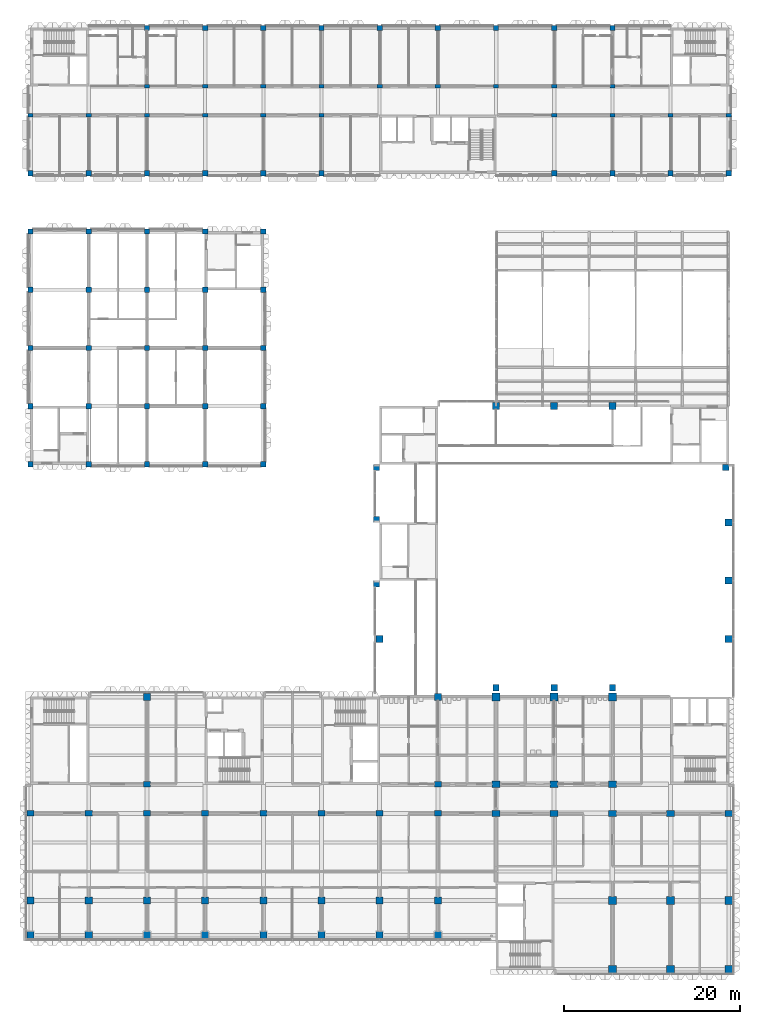
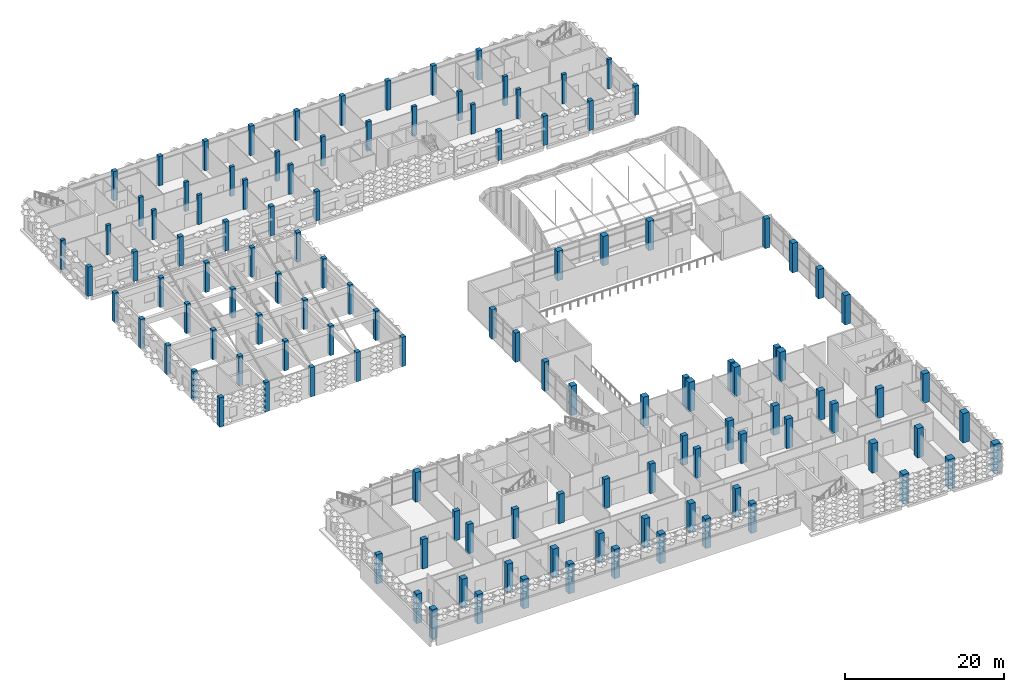
# One storey, part 1 of 102: 122 columns.
"""IFC4 building model written with IfcOpenShell, lengths in metres."""

from ifc_helpers import new_model, si_unit, direction, frame, origin, origin_2d, place, context, subcontext, project, spatial, rectangle, extrude, material, material_profile, profile_set, type_object, element, save


model = new_model("IFC4")

# Units and contexts
model_context = context("Model", 3, precision=1e-05, world=origin(), true_north=direction((0.0, 1.0)))
body_context = subcontext(model_context, "Body", "Model", "MODEL_VIEW")
ifc_project = project(units=[si_unit("LENGTHUNIT", "METRE"), si_unit("AREAUNIT", "SQUARE_METRE"), si_unit("VOLUMEUNIT", "CUBIC_METRE"), si_unit("PLANEANGLEUNIT", "RADIAN"), si_unit("MASSUNIT", "GRAM", prefix="KILO")], contexts=[model_context])

# Site, building, storey
site_placement = place(None, origin())
site = spatial("IfcSite", under=ifc_project, at=site_placement, CompositionType="ELEMENT")
building_placement = place(site_placement, origin())
building = spatial("IfcBuilding", under=site, at=building_placement, Name="Lantern Court Research Institute", CompositionType="ELEMENT")
storey_placement = place(building_placement, frame((0.0, 0.0, 9.89990234375)))
storey = spatial("IfcBuildingStorey", under=building, at=storey_placement, Name="L02", CompositionType="ELEMENT", Elevation=9.89990234375)

# Columns
ifc_material_1 = material(Name="Concrete C40/50", Category="concrete")
ifc_material_profile_1 = material_profile(ifc_material_1, rectangle(XDim=0.60009765625, YDim=0.60009765625, at=origin_2d()), Name="Clean room column 600 x 600")
ifc_profile_set_1 = profile_set([ifc_material_profile_1], Name="Concrete C40/50")
column_type_1 = type_object("IfcColumnType", Name="Clean room column 600 x 600", PredefinedType="COLUMN", material=ifc_profile_set_1)
for number, where, z_axis, x_axis, name in (
    (1, (0.0, 49.5, 0.0), (0.0, 0.0, 1.0), (1.0, 0.0, 0.0), "Clean room column"),
    (2, (0.0, 56.10009765625, 0.0), (0.0, 0.0, 1.0), (1.0, 0.0, 0.0), "Clean room column"),
    (3, (0.0, 62.699951171875, 0.0), (0.0, 0.0, 1.0), (1.0, 0.0, 0.0), "Clean room column"),
    (4, (0.0, 69.300048828125, 0.0), (0.0, 0.0, 1.0), (1.0, 0.0, 0.0), "Clean room column"),
    (5, (0.0, 75.89990234375, 0.0), (0.0, 0.0, 1.0), (1.0, 0.0, 0.0), "Clean room column"),
    (6, (6.60009765625, 49.5, 0.0), (0.0, 0.0, 1.0), (1.0, 0.0, 0.0), "Clean room column"),
    (7, (6.60009765625, 56.10009765625, 0.0), (0.0, 0.0, 1.0), (1.0, 0.0, 0.0), "Clean room column"),
    (8, (6.60009765625, 62.699951171875, 0.0), (0.0, 0.0, 1.0), (1.0, 0.0, 0.0), "Clean room column"),
    (9, (6.60009765625, 69.300048828125, 0.0), (0.0, 0.0, 1.0), (1.0, 0.0, 0.0), "Clean room column"),
    (10, (6.60009765625, 75.89990234375, 0.0), (0.0, 0.0, 1.0), (1.0, 0.0, 0.0), "Clean room column"),
    (11, (13.199951171875, 49.5, 0.0), (0.0, 0.0, 1.0), (1.0, 0.0, 0.0), "Clean room column"),
    (12, (13.199951171875, 56.10009765625, 0.0), (0.0, 0.0, 1.0), (1.0, 0.0, 0.0), "Clean room column"),
    (13, (13.199951171875, 62.699951171875, 0.0), (0.0, 0.0, 1.0), (1.0, 0.0, 0.0), "Clean room column"),
    (14, (13.199951171875, 69.300048828125, 0.0), (0.0, 0.0, 1.0), (1.0, 0.0, 0.0), "Clean room column"),
    (15, (13.199951171875, 75.89990234375, 0.0), (0.0, 0.0, 1.0), (1.0, 0.0, 0.0), "Clean room column"),
    (16, (19.800048828125, 49.5, 0.0), (0.0, 0.0, 1.0), (1.0, 0.0, 0.0), "Clean room column"),
    (17, (19.800048828125, 56.10009765625, 0.0), (0.0, 0.0, 1.0), (1.0, 0.0, 0.0), "Clean room column"),
    (18, (19.800048828125, 62.699951171875, 0.0), (0.0, 0.0, 1.0), (1.0, 0.0, 0.0), "Clean room column"),
    (19, (19.800048828125, 69.300048828125, 0.0), (0.0, 0.0, 1.0), (1.0, 0.0, 0.0), "Clean room column"),
    (20, (19.800048828125, 75.89990234375, 0.0), (0.0, 0.0, 1.0), (1.0, 0.0, 0.0), "Clean room column"),
    (21, (26.39990234375, 49.5, 0.0), (0.0, 0.0, 1.0), (1.0, 0.0, 0.0), "Clean room column"),
    (22, (26.39990234375, 56.10009765625, 0.0), (0.0, 0.0, 1.0), (1.0, 0.0, 0.0), "Clean room column"),
    (23, (26.39990234375, 62.699951171875, 0.0), (0.0, 0.0, 1.0), (1.0, 0.0, 0.0), "Clean room column"),
    (24, (26.39990234375, 69.300048828125, 0.0), (0.0, 0.0, 1.0), (1.0, 0.0, 0.0), "Clean room column"),
    (25, (26.39990234375, 75.89990234375, 0.0), (0.0, 0.0, 1.0), (1.0, 0.0, 0.0), "Clean room column"),
):
    element("IfcColumn", number, at=place(storey_placement, frame(where, z_axis=z_axis, x_axis=x_axis)), inside=storey, type_object=column_type_1, Name=name, PredefinedType="COLUMN", context=body_context, shape_type="SweptSolid", body=[
        extrude(rectangle(XDim=0.60009765625, YDim=0.60009765625, at=origin_2d()), origin(), (0.0, 0.0, 1.0), 4.5),
    ])
ifc_material_2 = material(Name="Concrete C40/50", Category="concrete")
ifc_material_profile_2 = material_profile(ifc_material_2, rectangle(XDim=0.699951171875, YDim=0.699951171875, at=origin_2d()), Name="Hall column 700 x 700")
ifc_profile_set_2 = profile_set([ifc_material_profile_2], Name="Concrete C40/50")
column_type_2 = type_object("IfcColumnType", Name="Hall column 700 x 700", PredefinedType="COLUMN", material=ifc_profile_set_2)
for number, where, z_axis, x_axis, name in (
    (26, (52.800048828125, 24.14990234375, 0.0), (0.0, 0.0, 1.0), (1.0, 0.0, 0.0), "Hall column"),
    (27, (59.39990234375, 24.14990234375, 0.0), (0.0, 0.0, 1.0), (1.0, 0.0, 0.0), "Hall column"),
    (28, (66.0, 24.14990234375, 0.0), (0.0, 0.0, 1.0), (1.0, 0.0, 0.0), "Hall column"),
    (29, (39.25, 35.949951171875, 0.0), (0.0, 0.0, 1.0), (1.0, 0.0, 0.0), "Hall column"),
    (30, (39.25, 43.25, 0.0), (0.0, 0.0, 1.0), (1.0, 0.0, 0.0), "Hall column"),
    (31, (39.25, 49.14990234375, 0.0), (0.0, 0.0, 1.0), (1.0, 0.0, 0.0), "Hall column"),
    (32, (78.85009765625, 49.14990234375, 0.0), (0.0, 0.0, 1.0), (1.0, 0.0, 0.0), "Hall column"),
):
    element("IfcColumn", number, at=place(storey_placement, frame(where, z_axis=z_axis, x_axis=x_axis)), inside=storey, type_object=column_type_2, Name=name, PredefinedType="COLUMN", context=body_context, shape_type="SweptSolid", body=[
        extrude(rectangle(XDim=0.699951171875, YDim=0.699951171875, at=origin_2d()), origin(), (0.0, 0.0, 1.0), 4.5),
    ])
ifc_material_3 = material(Name="Concrete C40/50", Category="concrete")
ifc_material_profile_3 = material_profile(ifc_material_3, rectangle(XDim=0.800048828125, YDim=0.800048828125, at=origin_2d()), Name="Hall column 800 x 800")
ifc_profile_set_3 = profile_set([ifc_material_profile_3], Name="Concrete C40/50")
column_type_3 = type_object("IfcColumnType", Name="Hall column 800 x 800", PredefinedType="COLUMN", material=ifc_profile_set_3)
for number, where, z_axis, x_axis, name in (
    (33, (39.60009765625, 29.699951171875, 0.0), (0.0, 0.0, 1.0), (1.0, 0.0, 0.0), "Hall column"),
    (34, (79.199951171875, 29.699951171875, 0.0), (0.0, 0.0, 1.0), (1.0, 0.0, 0.0), "Hall column"),
    (35, (79.199951171875, 36.300048828125, 0.0), (0.0, 0.0, 1.0), (1.0, 0.0, 0.0), "Hall column"),
    (36, (79.199951171875, 42.89990234375, 0.0), (0.0, 0.0, 1.0), (1.0, 0.0, 0.0), "Hall column"),
    (37, (52.800048828125, 56.10009765625, 0.0), (0.0, 0.0, 1.0), (1.0, 0.0, 0.0), "Hall column"),
    (38, (59.39990234375, 56.10009765625, 0.0), (0.0, 0.0, 1.0), (1.0, 0.0, 0.0), "Hall column"),
    (39, (66.0, 56.10009765625, 0.0), (0.0, 0.0, 1.0), (1.0, 0.0, 0.0), "Hall column"),
):
    element("IfcColumn", number, at=place(storey_placement, frame(where, z_axis=z_axis, x_axis=x_axis)), inside=storey, type_object=column_type_3, Name=name, PredefinedType="COLUMN", context=body_context, shape_type="SweptSolid", body=[
        extrude(rectangle(XDim=0.800048828125, YDim=0.800048828125, at=origin_2d()), origin(), (0.0, 0.0, 1.0), 4.5),
    ])
ifc_material_4 = material(Name="Concrete C40/50", Category="concrete")
ifc_material_profile_4 = material_profile(ifc_material_4, rectangle(XDim=0.60009765625, YDim=0.39990234375, at=origin_2d()), Name="RC column 600 x 400")
ifc_profile_set_4 = profile_set([ifc_material_profile_4], Name="Concrete C40/50")
column_type_4 = type_object("IfcColumnType", Name="RC column 600 x 400", PredefinedType="COLUMN", material=ifc_profile_set_4)
for number, where, z_axis, x_axis, name in (
    (40, (0.0, 89.10009765625, 0.0), (0.0, 0.0, 1.0), (1.0, 0.0, 0.0), "Column L02 grid 1/K"),
    (41, (6.60009765625, 89.10009765625, 0.0), (0.0, 0.0, 1.0), (1.0, 0.0, 0.0), "Column L02 grid 2/K"),
    (42, (13.199951171875, 89.10009765625, 0.0), (0.0, 0.0, 1.0), (1.0, 0.0, 0.0), "Column L02 grid 3/K"),
    (43, (13.199951171875, 92.39990234375, 0.0), (0.0, 0.0, 1.0), (1.0, 0.0, 0.0), "Column L02 grid 3/L"),
    (44, (19.800048828125, 89.10009765625, 0.0), (0.0, 0.0, 1.0), (1.0, 0.0, 0.0), "Column L02 grid 4/K"),
    (45, (19.800048828125, 92.39990234375, 0.0), (0.0, 0.0, 1.0), (1.0, 0.0, 0.0), "Column L02 grid 4/L"),
    (46, (26.39990234375, 89.10009765625, 0.0), (0.0, 0.0, 1.0), (1.0, 0.0, 0.0), "Column L02 grid 5/K"),
    (47, (26.39990234375, 92.39990234375, 0.0), (0.0, 0.0, 1.0), (1.0, 0.0, 0.0), "Column L02 grid 5/L"),
    (48, (33.0, 89.10009765625, 0.0), (0.0, 0.0, 1.0), (1.0, 0.0, 0.0), "Column L02 grid 6/K"),
    (49, (33.0, 92.39990234375, 0.0), (0.0, 0.0, 1.0), (1.0, 0.0, 0.0), "Column L02 grid 6/L"),
    (50, (39.60009765625, 92.39990234375, 0.0), (0.0, 0.0, 1.0), (1.0, 0.0, 0.0), "Column L02 grid 7/L"),
    (51, (46.199951171875, 92.39990234375, 0.0), (0.0, 0.0, 1.0), (1.0, 0.0, 0.0), "Column L02 grid 8/L"),
    (52, (52.800048828125, 92.39990234375, 0.0), (0.0, 0.0, 1.0), (1.0, 0.0, 0.0), "Column L02 grid 9/L"),
    (53, (59.39990234375, 89.10009765625, 0.0), (0.0, 0.0, 1.0), (1.0, 0.0, 0.0), "Column L02 grid 10/K"),
    (54, (59.39990234375, 92.39990234375, 0.0), (0.0, 0.0, 1.0), (1.0, 0.0, 0.0), "Column L02 grid 10/L"),
    (55, (66.0, 89.10009765625, 0.0), (0.0, 0.0, 1.0), (1.0, 0.0, 0.0), "Column L02 grid 11/K"),
    (56, (66.0, 92.39990234375, 0.0), (0.0, 0.0, 1.0), (1.0, 0.0, 0.0), "Column L02 grid 11/L"),
    (57, (72.60009765625, 89.10009765625, 0.0), (0.0, 0.0, 1.0), (1.0, 0.0, 0.0), "Column L02 grid 12/K"),
    (58, (79.199951171875, 89.10009765625, 0.0), (0.0, 0.0, 1.0), (1.0, 0.0, 0.0), "Column L02 grid 13/K"),
):
    element("IfcColumn", number, at=place(storey_placement, frame(where, z_axis=z_axis, x_axis=x_axis)), inside=storey, type_object=column_type_4, Name=name, PredefinedType="COLUMN", context=body_context, shape_type="SweptSolid", body=[
        extrude(rectangle(XDim=0.60009765625, YDim=0.39990234375, at=origin_2d()), origin(), (0.0, 0.0, 1.0), 4.5),
    ])
ifc_material_5 = material(Name="Concrete C40/50", Category="concrete")
ifc_material_profile_5 = material_profile(ifc_material_5, rectangle(XDim=0.60009765625, YDim=0.60009765625, at=origin_2d()), Name="RC column 600 x 600")
ifc_profile_set_5 = profile_set([ifc_material_profile_5], Name="Concrete C40/50")
column_type_5 = type_object("IfcColumnType", Name="RC column 600 x 600", PredefinedType="COLUMN", material=ifc_profile_set_5)
for number, where, z_axis, x_axis, name in (
    (59, (0.0, 82.5, 0.0), (0.0, 0.0, 1.0), (1.0, 0.0, 0.0), "Column L02 grid 1/J"),
    (60, (6.60009765625, 82.5, 0.0), (0.0, 0.0, 1.0), (1.0, 0.0, 0.0), "Column L02 grid 2/J"),
    (61, (13.199951171875, 82.5, 0.0), (0.0, 0.0, 1.0), (1.0, 0.0, 0.0), "Column L02 grid 3/J"),
    (62, (13.199951171875, 99.0, 0.0), (0.0, 0.0, 1.0), (1.0, 0.0, 0.0), "Column L02 grid 3/M"),
    (63, (19.800048828125, 82.5, 0.0), (0.0, 0.0, 1.0), (1.0, 0.0, 0.0), "Column L02 grid 4/J"),
    (64, (19.800048828125, 99.0, 0.0), (0.0, 0.0, 1.0), (1.0, 0.0, 0.0), "Column L02 grid 4/M"),
    (65, (26.39990234375, 82.5, 0.0), (0.0, 0.0, 1.0), (1.0, 0.0, 0.0), "Column L02 grid 5/J"),
    (66, (26.39990234375, 99.0, 0.0), (0.0, 0.0, 1.0), (1.0, 0.0, 0.0), "Column L02 grid 5/M"),
    (67, (33.0, 82.5, 0.0), (0.0, 0.0, 1.0), (1.0, 0.0, 0.0), "Column L02 grid 6/J"),
    (68, (33.0, 99.0, 0.0), (0.0, 0.0, 1.0), (1.0, 0.0, 0.0), "Column L02 grid 6/M"),
    (69, (39.60009765625, 99.0, 0.0), (0.0, 0.0, 1.0), (1.0, 0.0, 0.0), "Column L02 grid 7/M"),
    (70, (46.199951171875, 99.0, 0.0), (0.0, 0.0, 1.0), (1.0, 0.0, 0.0), "Column L02 grid 8/M"),
    (71, (52.800048828125, 99.0, 0.0), (0.0, 0.0, 1.0), (1.0, 0.0, 0.0), "Column L02 grid 9/M"),
    (72, (59.39990234375, 82.5, 0.0), (0.0, 0.0, 1.0), (1.0, 0.0, 0.0), "Column L02 grid 10/J"),
    (73, (59.39990234375, 99.0, 0.0), (0.0, 0.0, 1.0), (1.0, 0.0, 0.0), "Column L02 grid 10/M"),
    (74, (66.0, 82.5, 0.0), (0.0, 0.0, 1.0), (1.0, 0.0, 0.0), "Column L02 grid 11/J"),
    (75, (66.0, 99.0, 0.0), (0.0, 0.0, 1.0), (1.0, 0.0, 0.0), "Column L02 grid 11/M"),
    (76, (72.60009765625, 82.5, 0.0), (0.0, 0.0, 1.0), (1.0, 0.0, 0.0), "Column L02 grid 12/J"),
    (77, (79.199951171875, 82.5, 0.0), (0.0, 0.0, 1.0), (1.0, 0.0, 0.0), "Column L02 grid 13/J"),
):
    element("IfcColumn", number, at=place(storey_placement, frame(where, z_axis=z_axis, x_axis=x_axis)), inside=storey, type_object=column_type_5, Name=name, PredefinedType="COLUMN", context=body_context, shape_type="SweptSolid", body=[
        extrude(rectangle(XDim=0.60009765625, YDim=0.60009765625, at=origin_2d()), origin(), (0.0, 0.0, 1.0), 4.5),
    ])
ifc_material_6 = material(Name="Concrete C40/50", Category="concrete")
ifc_material_profile_6 = material_profile(ifc_material_6, rectangle(XDim=0.800048828125, YDim=0.60009765625, at=origin_2d()), Name="RC column 800 x 600")
ifc_profile_set_6 = profile_set([ifc_material_profile_6], Name="Concrete C40/50")
column_type_6 = type_object("IfcColumnType", Name="RC column 800 x 600", PredefinedType="COLUMN", material=ifc_profile_set_6)
for number, where, z_axis, x_axis, name in (
    (78, (0.0, 9.89990234375, 0.0), (0.0, 0.0, 1.0), (1.0, 0.0, 0.0), "Column L02 grid 1/B"),
    (79, (6.60009765625, 9.89990234375, 0.0), (0.0, 0.0, 1.0), (1.0, 0.0, 0.0), "Column L02 grid 2/B"),
    (80, (13.199951171875, 9.89990234375, 0.0), (0.0, 0.0, 1.0), (1.0, 0.0, 0.0), "Column L02 grid 3/B"),
    (81, (13.199951171875, 13.199951171875, 0.0), (0.0, 0.0, 1.0), (1.0, 0.0, 0.0), "Column L02 grid 3/C"),
    (82, (19.800048828125, 9.89990234375, 0.0), (0.0, 0.0, 1.0), (1.0, 0.0, 0.0), "Column L02 grid 4/B"),
    (83, (26.39990234375, 9.89990234375, 0.0), (0.0, 0.0, 1.0), (1.0, 0.0, 0.0), "Column L02 grid 5/B"),
    (84, (33.0, 9.89990234375, 0.0), (0.0, 0.0, 1.0), (1.0, 0.0, 0.0), "Column L02 grid 6/B"),
    (85, (39.60009765625, 9.89990234375, 0.0), (0.0, 0.0, 1.0), (1.0, 0.0, 0.0), "Column L02 grid 7/B"),
    (86, (46.199951171875, 9.89990234375, 0.0), (0.0, 0.0, 1.0), (1.0, 0.0, 0.0), "Column L02 grid 8/B"),
    (87, (46.199951171875, 13.199951171875, 0.0), (0.0, 0.0, 1.0), (1.0, 0.0, 0.0), "Column L02 grid 8/C"),
):
    element("IfcColumn", number, at=place(storey_placement, frame(where, z_axis=z_axis, x_axis=x_axis)), inside=storey, type_object=column_type_6, Name=name, PredefinedType="COLUMN", context=body_context, shape_type="SweptSolid", body=[
        extrude(rectangle(XDim=0.800048828125, YDim=0.60009765625, at=origin_2d()), origin(), (0.0, 0.0, 1.0), 4.5),
    ])
ifc_material_7 = material(Name="Concrete C40/50", Category="concrete")
ifc_material_profile_7 = material_profile(ifc_material_7, rectangle(XDim=0.800048828125, YDim=0.800048828125, at=origin_2d()), Name="RC column 800 x 800")
ifc_profile_set_7 = profile_set([ifc_material_profile_7], Name="Concrete C40/50")
column_type_7 = type_object("IfcColumnType", Name="RC column 800 x 800", PredefinedType="COLUMN", material=ifc_profile_set_7)
for number, where, z_axis, x_axis, name in (
    (88, (0.0, 0.0, 0.0), (0.0, 0.0, 1.0), (1.0, 0.0, 0.0), "Column L02 grid 1/A"),
    (89, (6.60009765625, 0.0, 0.0), (0.0, 0.0, 1.0), (1.0, 0.0, 0.0), "Column L02 grid 2/A"),
    (90, (13.199951171875, 0.0, 0.0), (0.0, 0.0, 1.0), (1.0, 0.0, 0.0), "Column L02 grid 3/A"),
    (91, (13.199951171875, 23.10009765625, 0.0), (0.0, 0.0, 1.0), (1.0, 0.0, 0.0), "Column L02 grid 3/D"),
    (92, (19.800048828125, 0.0, 0.0), (0.0, 0.0, 1.0), (1.0, 0.0, 0.0), "Column L02 grid 4/A"),
    (93, (26.39990234375, 0.0, 0.0), (0.0, 0.0, 1.0), (1.0, 0.0, 0.0), "Column L02 grid 5/A"),
    (94, (33.0, 0.0, 0.0), (0.0, 0.0, 1.0), (1.0, 0.0, 0.0), "Column L02 grid 6/A"),
    (95, (39.60009765625, 0.0, 0.0), (0.0, 0.0, 1.0), (1.0, 0.0, 0.0), "Column L02 grid 7/A"),
    (96, (46.199951171875, 0.0, 0.0), (0.0, 0.0, 1.0), (1.0, 0.0, 0.0), "Column L02 grid 8/A"),
    (97, (46.199951171875, 23.10009765625, 0.0), (0.0, 0.0, 1.0), (1.0, 0.0, 0.0), "Column L02 grid 8/D"),
    (98, (0.0, -3.89990234375, 0.0), (0.0, 0.0, 1.0), (1.0, 0.0, 0.0), "Column L02 grid 1/Y"),
    (99, (6.60009765625, -3.89990234375, 0.0), (0.0, 0.0, 1.0), (1.0, 0.0, 0.0), "Column L02 grid 2/Y"),
    (100, (13.199951171875, -3.89990234375, 0.0), (0.0, 0.0, 1.0), (1.0, 0.0, 0.0), "Column L02 grid 3/Y"),
    (101, (19.800048828125, -3.89990234375, 0.0), (0.0, 0.0, 1.0), (1.0, 0.0, 0.0), "Column L02 grid 4/Y"),
    (102, (26.39990234375, -3.89990234375, 0.0), (0.0, 0.0, 1.0), (1.0, 0.0, 0.0), "Column L02 grid 5/Y"),
    (103, (33.0, -3.89990234375, 0.0), (0.0, 0.0, 1.0), (1.0, 0.0, 0.0), "Column L02 grid 6/Y"),
    (104, (39.60009765625, -3.89990234375, 0.0), (0.0, 0.0, 1.0), (1.0, 0.0, 0.0), "Column L02 grid 7/Y"),
    (105, (46.199951171875, -3.89990234375, 0.0), (0.0, 0.0, 1.0), (1.0, 0.0, 0.0), "Column L02 grid 8/Y"),
):
    element("IfcColumn", number, at=place(storey_placement, frame(where, z_axis=z_axis, x_axis=x_axis)), inside=storey, type_object=column_type_7, Name=name, PredefinedType="COLUMN", context=body_context, shape_type="SweptSolid", body=[
        extrude(rectangle(XDim=0.800048828125, YDim=0.800048828125, at=origin_2d()), origin(), (0.0, 0.0, 1.0), 4.5),
    ])
ifc_material_8 = material(Name="Concrete C40/50", Category="concrete")
ifc_material_profile_8 = material_profile(ifc_material_8, rectangle(XDim=0.89990234375, YDim=0.699951171875, at=origin_2d()), Name="RC column 900 x 700")
ifc_profile_set_8 = profile_set([ifc_material_profile_8], Name="Concrete C40/50")
column_type_8 = type_object("IfcColumnType", Name="RC column 900 x 700", PredefinedType="COLUMN", material=ifc_profile_set_8)
for number, where, z_axis, x_axis, name in (
    (106, (52.800048828125, 9.89990234375, 0.0), (0.0, 0.0, 1.0), (1.0, 0.0, 0.0), "Column L02 grid 9/B"),
    (107, (52.800048828125, 13.199951171875, 0.0), (0.0, 0.0, 1.0), (1.0, 0.0, 0.0), "Column L02 grid 9/C"),
    (108, (59.39990234375, 9.89990234375, 0.0), (0.0, 0.0, 1.0), (1.0, 0.0, 0.0), "Column L02 grid 10/B"),
    (109, (59.39990234375, 13.199951171875, 0.0), (0.0, 0.0, 1.0), (1.0, 0.0, 0.0), "Column L02 grid 10/C"),
    (110, (66.0, 9.89990234375, 0.0), (0.0, 0.0, 1.0), (1.0, 0.0, 0.0), "Column L02 grid 11/B"),
    (111, (66.0, 13.199951171875, 0.0), (0.0, 0.0, 1.0), (1.0, 0.0, 0.0), "Column L02 grid 11/C"),
    (112, (72.60009765625, 9.89990234375, 0.0), (0.0, 0.0, 1.0), (1.0, 0.0, 0.0), "Column L02 grid 12/B"),
    (113, (79.199951171875, 9.89990234375, 0.0), (0.0, 0.0, 1.0), (1.0, 0.0, 0.0), "Column L02 grid 13/B"),
):
    element("IfcColumn", number, at=place(storey_placement, frame(where, z_axis=z_axis, x_axis=x_axis)), inside=storey, type_object=column_type_8, Name=name, PredefinedType="COLUMN", context=body_context, shape_type="SweptSolid", body=[
        extrude(rectangle(XDim=0.89990234375, YDim=0.699951171875, at=origin_2d()), origin(), (0.0, 0.0, 1.0), 4.5),
    ])
ifc_material_9 = material(Name="Concrete C40/50", Category="concrete")
ifc_material_profile_9 = material_profile(ifc_material_9, rectangle(XDim=0.89990234375, YDim=0.89990234375, at=origin_2d()), Name="RC column 900 x 900")
ifc_profile_set_9 = profile_set([ifc_material_profile_9], Name="Concrete C40/50")
column_type_9 = type_object("IfcColumnType", Name="RC column 900 x 900", PredefinedType="COLUMN", material=ifc_profile_set_9)
for number, where, z_axis, x_axis, name in (
    (114, (52.800048828125, 23.10009765625, 0.0), (0.0, 0.0, 1.0), (1.0, 0.0, 0.0), "Column L02 grid 9/D"),
    (115, (59.39990234375, 23.10009765625, 0.0), (0.0, 0.0, 1.0), (1.0, 0.0, 0.0), "Column L02 grid 10/D"),
    (116, (66.0, -7.800048828125, 0.0), (0.0, 0.0, 1.0), (1.0, 0.0, 0.0), "Column L02 grid 11/Z"),
    (117, (66.0, 0.0, 0.0), (0.0, 0.0, 1.0), (1.0, 0.0, 0.0), "Column L02 grid 11/A"),
    (118, (66.0, 23.10009765625, 0.0), (0.0, 0.0, 1.0), (1.0, 0.0, 0.0), "Column L02 grid 11/D"),
    (119, (72.60009765625, -7.800048828125, 0.0), (0.0, 0.0, 1.0), (1.0, 0.0, 0.0), "Column L02 grid 12/Z"),
    (120, (72.60009765625, 0.0, 0.0), (0.0, 0.0, 1.0), (1.0, 0.0, 0.0), "Column L02 grid 12/A"),
    (121, (79.199951171875, -7.800048828125, 0.0), (0.0, 0.0, 1.0), (1.0, 0.0, 0.0), "Column L02 grid 13/Z"),
    (122, (79.199951171875, 0.0, 0.0), (0.0, 0.0, 1.0), (1.0, 0.0, 0.0), "Column L02 grid 13/A"),
):
    element("IfcColumn", number, at=place(storey_placement, frame(where, z_axis=z_axis, x_axis=x_axis)), inside=storey, type_object=column_type_9, Name=name, PredefinedType="COLUMN", context=body_context, shape_type="SweptSolid", body=[
        extrude(rectangle(XDim=0.89990234375, YDim=0.89990234375, at=origin_2d()), origin(), (0.0, 0.0, 1.0), 4.5),
    ])

save(model, "model.ifc")
